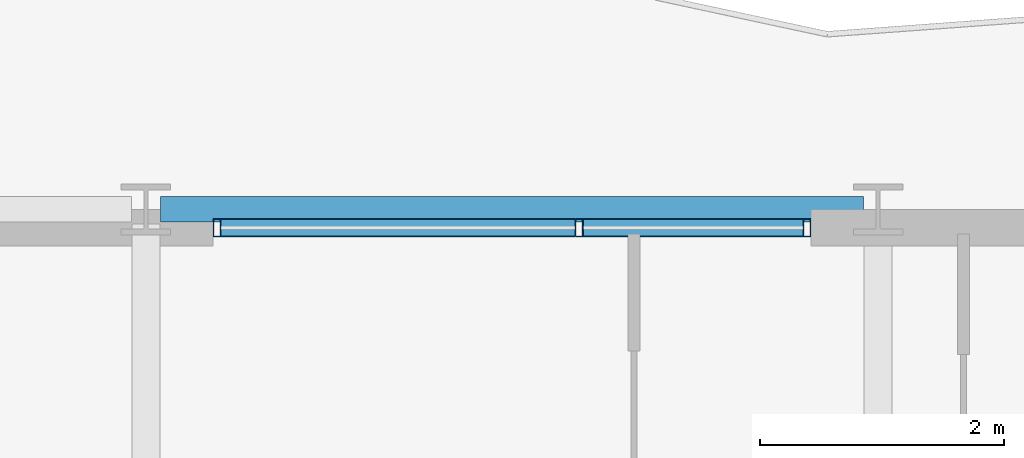
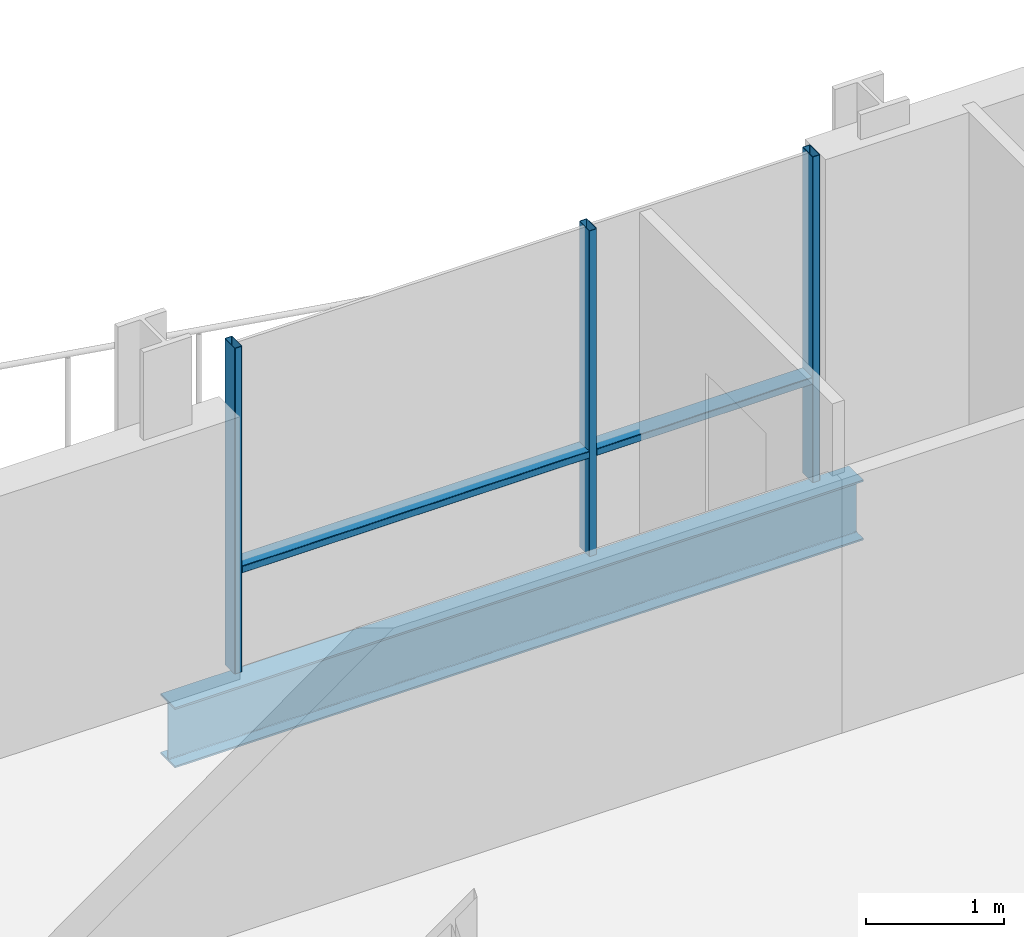
# One storey, part 26 of 41: 5 members, 1 beam, 1 element without a shape of its own.
"""IFC4 building model written with IfcOpenShell, lengths in metres."""

from ifc_helpers import new_model, si_unit, direction, frame, origin, origin_2d, place, context, subcontext, project, spatial, hollow_rectangle, i_section, extrude, material, layer, layer_set, material_profile, profile_set, type_object, element, aggregate, save


model = new_model("IFC4")

# Units and contexts
model_context = context("Model", 3, precision=1e-05, world=origin(), true_north=direction((0.0, 1.0)))
body_context = subcontext(model_context, "Body", "Model", "MODEL_VIEW")
ifc_project = project(units=[si_unit("LENGTHUNIT", "METRE"), si_unit("AREAUNIT", "SQUARE_METRE"), si_unit("VOLUMEUNIT", "CUBIC_METRE"), si_unit("PLANEANGLEUNIT", "RADIAN"), si_unit("MASSUNIT", "GRAM", prefix="KILO")], contexts=[model_context])

# Site, building, storey
site_placement = place(None, origin())
site = spatial("IfcSite", under=ifc_project, at=site_placement, CompositionType="ELEMENT")
building_placement = place(site_placement, origin())
building = spatial("IfcBuilding", under=site, at=building_placement, Name="Brevholm Reach", CompositionType="ELEMENT")
storey_placement = place(building_placement, frame((0.0, 0.0, 138.699951171875)))
storey = spatial("IfcBuildingStorey", under=building, at=storey_placement, Name="L41", CompositionType="ELEMENT", Elevation=138.699951171875)

# Beam
ifc_material_1 = material(Name="Structural Steel S355J2", Category="steel")
ifc_material_profile_1 = material_profile(ifc_material_1, i_section(OverallWidth=0.209228515625, OverallDepth=0.533203125, WebThickness=0.010009765625, FlangeThickness=0.015625, FilletRadius=0.0126953125, at=origin_2d()), Name="UKB 533x210x92")
ifc_profile_set_1 = profile_set([ifc_material_profile_1], Name="Structural Steel S355J2")
beam_type = type_object("IfcBeamType", Name="BM-SP533", PredefinedType="SPANDREL", material=ifc_profile_set_1)
beam_placement = place(storey_placement, frame((48.1201171875, 31.0, -0.486572265625), z_axis=(1.0, 0.0, 0.0), x_axis=(0.0, 1.0, 0.0)))
element("IfcBeam", 1, at=beam_placement, inside=storey, type_object=beam_type, Name="L41 SP-02 Framing Beam", PredefinedType="SPANDREL", context=body_context, shape_type="SweptSolid", body=[
    extrude(i_section(OverallWidth=0.209228515625, OverallDepth=0.533203125, WebThickness=0.010009765625, FlangeThickness=0.015625, FilletRadius=0.0126953125, at=origin_2d()), origin(), (0.0, 0.0, 1.0), 5.759765625),
])

# Curtain wall, members
ifc_material_2 = material(Name="Dark Anodised Aluminium 6063-T6 and Solar-Control Glass", Category="aluminium")
ifc_layer = layer(ifc_material_2, 0.14990234375)
ifc_layer_set = layer_set([ifc_layer], Name="Dark Anodised Aluminium 6063-T6 and Solar-Control Glass")
curtain_wall_type = type_object("IfcCurtainWallType", Name="CW-01", PredefinedType="NOTDEFINED", material=ifc_layer_set)
curtain_wall_placement = place(storey_placement, origin())
curtain_wall = element("IfcCurtainWall", 2, at=curtain_wall_placement, inside=storey, type_object=curtain_wall_type, Name="L41 Curtain Wall CW-01", PredefinedType="NOTDEFINED")
ifc_material_3 = material(Name="Dark Anodised Aluminium 6063-T6", Category="aluminium")
ifc_material_profile_2 = material_profile(ifc_material_3, hollow_rectangle(XDim=0.06494140625, YDim=0.14990234375, WallThickness=0.0048828125, InnerFilletRadius=0.0048828125, OuterFilletRadius=0.010009765625, at=origin_2d()), Name="RHS 150x65x5")
ifc_profile_set_2 = profile_set([ifc_material_profile_2], Name="Dark Anodised Aluminium 6063-T6")
member_type_1 = type_object("IfcMemberType", Name="CWM-150", PredefinedType="MULLION", material=ifc_profile_set_2)
member_1_placement = place(storey_placement, frame((48.58251953125, 30.85009765625, 0.0), z_axis=(0.0, 0.0, 1.0), x_axis=(1.0, 0.0, 0.0)))
member_1 = element("IfcMember", 3, at=member_1_placement, type_object=member_type_1, Name="CM-150 Mullion 1", PredefinedType="MULLION", context=body_context, shape_type="SweptSolid", body=[
    extrude(hollow_rectangle(XDim=0.06494140625, YDim=0.14990234375, WallThickness=0.0048828125, InnerFilletRadius=0.0048828125, OuterFilletRadius=0.010009765625, at=origin_2d()), origin(), (0.0, 0.0, 1.0), 2.880126953125),
])
member_2_placement = place(storey_placement, frame((51.550048828125, 30.85009765625, 0.0), z_axis=(0.0, 0.0, 1.0), x_axis=(1.0, 0.0, 0.0)))
member_2 = element("IfcMember", 4, at=member_2_placement, type_object=member_type_1, Name="CM-150 Mullion 2", PredefinedType="MULLION", context=body_context, shape_type="SweptSolid", body=[
    extrude(hollow_rectangle(XDim=0.06494140625, YDim=0.14990234375, WallThickness=0.0048828125, InnerFilletRadius=0.0048828125, OuterFilletRadius=0.010009765625, at=origin_2d()), origin(), (0.0, 0.0, 1.0), 2.880126953125),
])
member_3_placement = place(storey_placement, frame((53.41748046875, 30.85009765625, 0.0), z_axis=(0.0, 0.0, 1.0), x_axis=(1.0, 0.0, 0.0)))
member_3 = element("IfcMember", 5, at=member_3_placement, type_object=member_type_1, Name="CM-150 Mullion 3", PredefinedType="MULLION", context=body_context, shape_type="SweptSolid", body=[
    extrude(hollow_rectangle(XDim=0.06494140625, YDim=0.14990234375, WallThickness=0.0048828125, InnerFilletRadius=0.0048828125, OuterFilletRadius=0.010009765625, at=origin_2d()), origin(), (0.0, 0.0, 1.0), 2.880126953125),
])
ifc_material_4 = material(Name="Dark Anodised Aluminium 6063-T6", Category="aluminium")
ifc_material_profile_3 = material_profile(ifc_material_4, hollow_rectangle(XDim=0.06494140625, YDim=0.14990234375, WallThickness=0.0048828125, InnerFilletRadius=0.0048828125, OuterFilletRadius=0.010009765625, at=origin_2d()), Name="RHS 150x65x5")
ifc_profile_set_3 = profile_set([ifc_material_profile_3], Name="Dark Anodised Aluminium 6063-T6")
member_type_2 = type_object("IfcMemberType", Name="CWT-150", PredefinedType="NOTDEFINED", material=ifc_profile_set_3)
member_4_placement = place(storey_placement, frame((48.614990234375, 30.85009765625, 0.900146484375), z_axis=(1.0, 0.0, 0.0), x_axis=(0.0, 0.0, 1.0)))
member_4 = element("IfcMember", 6, at=member_4_placement, type_object=member_type_2, Name="CT-150 Transom 1.1", ObjectType="TRANSOM", PredefinedType="USERDEFINED", context=body_context, shape_type="SweptSolid", body=[
    extrude(hollow_rectangle(XDim=0.06494140625, YDim=0.14990234375, WallThickness=0.0048828125, InnerFilletRadius=0.0048828125, OuterFilletRadius=0.010009765625, at=origin_2d()), origin(), (0.0, 0.0, 1.0), 2.902587890625),
])
member_5_placement = place(storey_placement, frame((51.58251953125, 30.85009765625, 0.900146484375), z_axis=(1.0, 0.0, 0.0), x_axis=(0.0, 0.0, 1.0)))
member_5 = element("IfcMember", 7, at=member_5_placement, type_object=member_type_2, Name="CT-150 Transom 2.1", ObjectType="TRANSOM", PredefinedType="USERDEFINED", context=body_context, shape_type="SweptSolid", body=[
    extrude(hollow_rectangle(XDim=0.06494140625, YDim=0.14990234375, WallThickness=0.0048828125, InnerFilletRadius=0.0048828125, OuterFilletRadius=0.010009765625, at=origin_2d()), origin(), (0.0, 0.0, 1.0), 1.802490234375),
])
aggregate(curtain_wall, [member_1, member_2, member_3, member_4, member_5])

save(model, "model.ifc")
